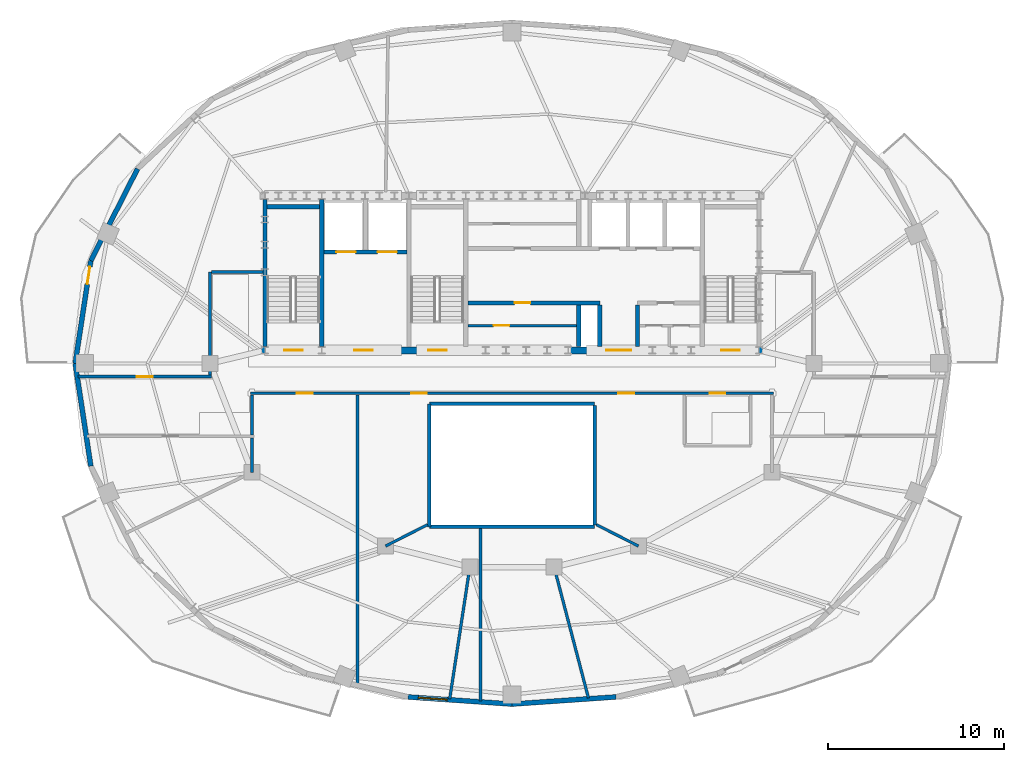
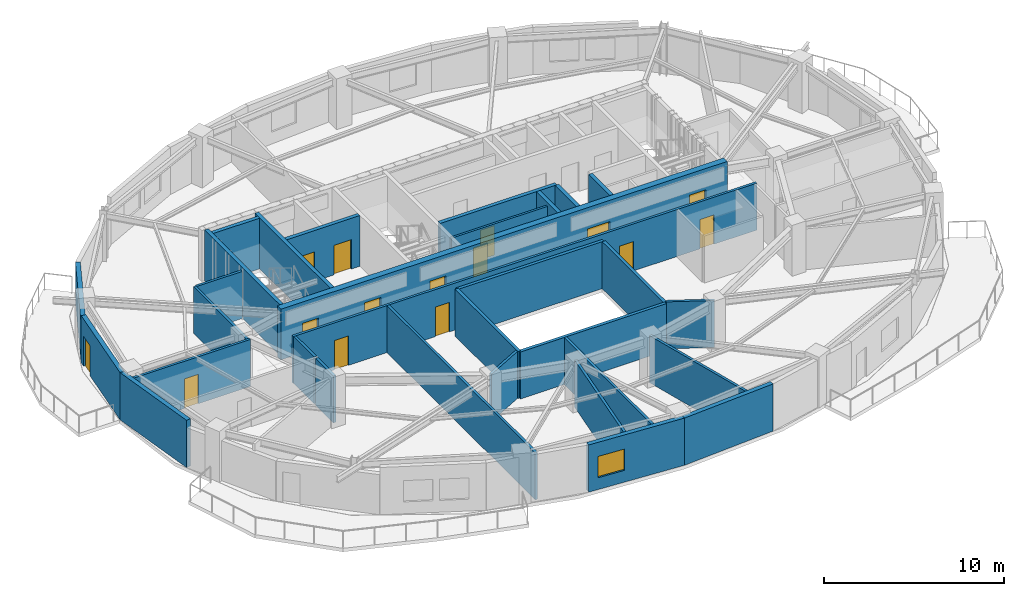
# One storey, part 4 of 10: 31 walls, 15 doors, 1 window, 16 openings.
"""IFC4 building model written with IfcOpenShell, lengths in metres."""

from ifc_helpers import new_model, si_unit, direction, frame, frame_2d, origin, place, context, subcontext, project, spatial, rectangle, extrude, material, layer, layer_set, type_object, element, fill, save


model = new_model("IFC4")

# Units and contexts
model_context = context("Model", 3, precision=1e-05, world=origin(), true_north=direction((0.0, 1.0)))
body_context = subcontext(model_context, "Body", "Model", "MODEL_VIEW")
ifc_project = project(units=[si_unit("LENGTHUNIT", "METRE"), si_unit("AREAUNIT", "SQUARE_METRE"), si_unit("VOLUMEUNIT", "CUBIC_METRE"), si_unit("PLANEANGLEUNIT", "RADIAN"), si_unit("MASSUNIT", "GRAM", prefix="KILO")], contexts=[model_context])

# Site, building, storey
site_placement = place(None, origin())
site = spatial("IfcSite", under=ifc_project, at=site_placement, CompositionType="ELEMENT")
building_placement = place(site_placement, origin())
building = spatial("IfcBuilding", under=site, at=building_placement, Name="Haldorwick Loom Tower", CompositionType="ELEMENT")
storey_placement = place(building_placement, frame((0.0, 0.0, 259.199951171875)))
storey = spatial("IfcBuildingStorey", under=building, at=storey_placement, Name="L70", CompositionType="ELEMENT", Elevation=259.199951171875)

# Wall
ifc_material_1 = material(Name="Pressed Clay Face Brick and Insulated Masonry Backup Assembly", Category="masonry")
ifc_layer_1 = layer(ifc_material_1, 0.280029296875, Name="Pressed Clay Face Brick and Insulated Masonry Backup Assembly", Category="masonry")
ifc_layer_set_1 = layer_set([ifc_layer_1], Name="Pressed Clay Face Brick and Insulated Masonry Backup Assembly")
wall_type_1 = type_object("IfcWallType", Name="ARC-WL-EXT280", PredefinedType="STANDARD", material=ifc_layer_set_1)
wall_1_placement = place(storey_placement, frame((14.677490234375, 37.08984375, 0.0), z_axis=(0.0, 0.0, 1.0), x_axis=(-0.453100705059, -0.89145933787, 0.0)))
element("IfcWall", 1, at=wall_1_placement, inside=storey, type_object=wall_type_1, Name="L70 Brick Pier and Spandrel Wall 11", PredefinedType="STANDARD", context=body_context, shape_type="SweptSolid", body=[
    extrude(rectangle(XDim=5.879150390625, YDim=0.280029296875, at=frame_2d((2.939453125, 0.0))), origin(), (0.0, 0.0, 1.0), 2.718994140625),
])

# Wall, opening, door
wall_2_placement = place(storey_placement, frame((12.013671875, 31.848876953125, 0.0), z_axis=(0.0, 0.0, 1.0), x_axis=(-0.150497234153, -0.988610430105, 0.0)))
wall_2 = element("IfcWall", 2, at=wall_2_placement, inside=storey, type_object=wall_type_1, Name="L70 Brick Pier and Spandrel Wall 12", PredefinedType="STANDARD", context=body_context, shape_type="SweptSolid", body=[
    extrude(rectangle(XDim=5.916259765625, YDim=0.280029296875, at=frame_2d((2.9580078125, 0.0))), origin(), (0.0, 0.0, 1.0), 3.2099609375),
])
opening_1_placement = place(wall_2_placement, frame((0.340087890625, 0.0, 0.0)))
opening_1 = element("IfcOpeningElement", 3, at=opening_1_placement, cuts=wall_2, Name="Opening D-BL10", PredefinedType="OPENING", context=body_context, shape_type="SweptSolid", body=[
    extrude(rectangle(XDim=1.0, YDim=2.0400390625, at=frame_2d((0.5, 1.02001953125))), frame((0.0, 0.14990234375, 0.0), z_axis=(0.0, -1.0, 0.0), x_axis=(1.0, 0.0, 0.0)), (0.0, 0.0, 1.0), 0.300048828125),
])
ifc_material_2 = material(Name="Thermally Broken Anodized Aluminium Curtain Wall Framing", Category="aluminium")
door_type_1 = type_object("IfcDoorType", Name="ARC-DR-BAL100", OperationType="NOTDEFINED", PredefinedType="DOOR", material=ifc_material_2)
door_1_placement = place(opening_1_placement, origin())
door_1 = element("IfcDoor", 4, at=door_1_placement, inside=storey, type_object=door_type_1, Name="L70 Outdoor Terrace Door SLB-L70-BAL_WNW", OperationType="SINGLE_SWING_RIGHT", OverallHeight=2.0400390625, OverallWidth=1.0, PredefinedType="DOOR", context=body_context, shape_type="SweptSolid", body=[
    extrude(rectangle(XDim=1.0, YDim=2.0400390625, at=frame_2d((0.5, 1.02001953125))), frame((0.0, 0.02490234375, 0.0), z_axis=(0.0, -1.0, 0.0), x_axis=(1.0, 0.0, 0.0)), (0.0, 0.0, 1.0), 0.050048828125),
])
fill(opening_1, door_1)

# Wall
wall_3_placement = place(storey_placement, frame((11.123291015625, 26.0, 0.0), z_axis=(0.0, 0.0, 1.0), x_axis=(0.150497234153, -0.988610430105, 0.0)))
element("IfcWall", 5, at=wall_3_placement, inside=storey, type_object=wall_type_1, Name="L70 Brick Pier and Spandrel Wall 13", PredefinedType="STANDARD", context=body_context, shape_type="SweptSolid", body=[
    extrude(rectangle(XDim=5.916259765625, YDim=0.280029296875, at=frame_2d((2.9580078125, 0.0))), origin(), (0.0, 0.0, 1.0), 3.2099609375),
])

# Wall, opening, window
wall_4_placement = place(storey_placement, frame((30.08056640625, 7.006103515625, 0.0), z_axis=(0.0, 0.0, 1.0), x_axis=(0.997656066566, -0.068427865986, 0.0)))
wall_4 = element("IfcWall", 6, at=wall_4_placement, inside=storey, type_object=wall_type_1, Name="L70 Brick Pier and Spandrel Wall 18", PredefinedType="STANDARD", context=body_context, shape_type="SweptSolid", body=[
    extrude(rectangle(XDim=5.933349609375, YDim=0.280029296875, at=frame_2d((2.966796875, 0.0))), origin(), (0.0, 0.0, 1.0), 3.2099609375),
])
opening_2_placement = place(wall_4_placement, frame((0.580078125, 0.0, 0.800048828125)))
opening_2 = element("IfcOpeningElement", 7, at=opening_2_placement, cuts=wall_4, Name="Opening W-01B", PredefinedType="OPENING", context=body_context, shape_type="SweptSolid", body=[
    extrude(rectangle(XDim=1.64990234375, YDim=1.449951171875, at=frame_2d((0.824951171875, 0.72509765625))), frame((0.0, 0.14990234375, 0.0), z_axis=(0.0, -1.0, 0.0), x_axis=(1.0, 0.0, 0.0)), (0.0, 0.0, 1.0), 0.300048828125),
])
ifc_material_3 = material(Name="Triple-Glazed Low-E Argon Insulated Glazing Unit", Category="glass")
window_type = type_object("IfcWindowType", Name="ARC-WIN-W165", PartitioningType="SINGLE_PANEL", PredefinedType="WINDOW", material=ifc_material_3)
window_placement = place(opening_2_placement, origin())
window = element("IfcWindow", 8, at=window_placement, inside=storey, type_object=window_type, Name="L70 Deep-Set Zone 7A Window 18", OverallHeight=1.449951171875, OverallWidth=1.64990234375, PartitioningType="SINGLE_PANEL", PredefinedType="WINDOW", context=body_context, shape_type="SweptSolid", body=[
    extrude(rectangle(XDim=1.64990234375, YDim=1.449951171875, at=frame_2d((0.824951171875, 0.72509765625))), frame((0.0, 0.030029296875, 0.0), z_axis=(0.0, -1.0, 0.0), x_axis=(1.0, 0.0, 0.0)), (0.0, 0.0, 1.0), 0.06005859375),
])
fill(opening_2, window)

# Wall
wall_5_placement = place(storey_placement, frame((36.0, 6.60009765625, 0.0), z_axis=(0.0, 0.0, 1.0), x_axis=(0.997656066566, 0.068427865986, 0.0)))
element("IfcWall", 9, at=wall_5_placement, inside=storey, type_object=wall_type_1, Name="L70 Brick Pier and Spandrel Wall 19", PredefinedType="STANDARD", context=body_context, shape_type="SweptSolid", body=[
    extrude(rectangle(XDim=5.933349609375, YDim=0.280029296875, at=frame_2d((2.966796875, 0.0))), origin(), (0.0, 0.0, 1.0), 3.2099609375),
])

# Wall, openings, doors
ifc_material_4 = material(Name="Fire-Rated Type X Gypsum Stud Assembly EI 60")
ifc_layer_2 = layer(ifc_material_4, 0.159912109375, Name="Fire-Rated Type X Gypsum Stud Assembly EI 60")
ifc_layer_set_2 = layer_set([ifc_layer_2], Name="Fire-Rated Type X Gypsum Stud Assembly EI 60")
wall_type_2 = type_object("IfcWallType", Name="ARC-WL-FIRE160", PredefinedType="PARTITIONING", material=ifc_layer_set_2)
wall_6_placement = place(storey_placement, frame((21.10009765625, 24.300048828125, 0.0), z_axis=(0.0, 0.0, 1.0), x_axis=(1.0, 0.0, 0.0)))
wall_6 = element("IfcWall", 10, at=wall_6_placement, inside=storey, type_object=wall_type_2, Name="L70 Residential Fire Partition L70-CR-SP", PredefinedType="PARTITIONING", context=body_context, shape_type="SweptSolid", body=[
    extrude(rectangle(XDim=29.7998046875, YDim=0.159912109375, at=frame_2d((14.89990234375, 0.0))), origin(), (0.0, 0.0, 1.0), 3.195068359375),
])
opening_3_placement = place(wall_6_placement, frame((20.9619140625, 0.0, 0.0)))
opening_3 = element("IfcOpeningElement", 11, at=opening_3_placement, cuts=wall_6, Name="Opening D-FD60A", PredefinedType="OPENING", context=body_context, shape_type="SweptSolid", body=[
    extrude(rectangle(XDim=0.89990234375, YDim=2.0, at=frame_2d((0.449951171875, 1.0))), frame((0.0, 0.08984375, 0.0), z_axis=(0.0, -1.0, 0.0), x_axis=(1.0, 0.0, 0.0)), (0.0, 0.0, 1.0), 0.179931640625),
])
opening_4_placement = place(wall_6_placement, frame((9.152099609375, 0.0, 0.0)))
opening_4 = element("IfcOpeningElement", 12, at=opening_4_placement, cuts=wall_6, Name="Opening D-FD60A", PredefinedType="OPENING", context=body_context, shape_type="SweptSolid", body=[
    extrude(rectangle(XDim=0.89990234375, YDim=2.0, at=frame_2d((0.449951171875, 1.0))), frame((0.0, 0.08984375, 0.0), z_axis=(0.0, -1.0, 0.0), x_axis=(1.0, 0.0, 0.0)), (0.0, 0.0, 1.0), 0.179931640625),
])
opening_5_placement = place(wall_6_placement, frame((2.640380859375, 0.0, 0.0)))
opening_5 = element("IfcOpeningElement", 13, at=opening_5_placement, cuts=wall_6, Name="Opening D-FD60A", PredefinedType="OPENING", context=body_context, shape_type="SweptSolid", body=[
    extrude(rectangle(XDim=0.89990234375, YDim=2.0, at=frame_2d((0.449951171875, 1.0))), frame((0.0, 0.08984375, 0.0), z_axis=(0.0, -1.0, 0.0), x_axis=(1.0, 0.0, 0.0)), (0.0, 0.0, 1.0), 0.179931640625),
])
opening_6_placement = place(wall_6_placement, frame((26.1494140625, 0.0, 0.0)))
opening_6 = element("IfcOpeningElement", 14, at=opening_6_placement, cuts=wall_6, Name="Opening D-FD60A", PredefinedType="OPENING", context=body_context, shape_type="SweptSolid", body=[
    extrude(rectangle(XDim=0.89990234375, YDim=2.0, at=frame_2d((0.449951171875, 1.0))), frame((0.0, 0.08984375, 0.0), z_axis=(0.0, -1.0, 0.0), x_axis=(1.0, 0.0, 0.0)), (0.0, 0.0, 1.0), 0.179931640625),
])
ifc_material_5 = material(Name="Hollow Steel Fire Door Assembly", Category="steel")
door_type_2 = type_object("IfcDoorType", Name="ARC-DR-FD60-90", OperationType="NOTDEFINED", PredefinedType="DOOR", material=ifc_material_5)
door_2_placement = place(opening_3_placement, origin())
door_2 = element("IfcDoor", 15, at=door_2_placement, inside=storey, type_object=door_type_2, Name="L70 L70 Central Residential Corridor to Tenant Seminar Meeting Room 1 Do", OperationType="SINGLE_SWING_RIGHT", OverallHeight=2.0, OverallWidth=0.89990234375, PredefinedType="DOOR", context=body_context, shape_type="SweptSolid", body=[
    extrude(rectangle(XDim=0.89990234375, YDim=2.0, at=frame_2d((0.449951171875, 1.0))), frame((0.0, 0.02490234375, 0.0), z_axis=(0.0, -1.0, 0.0), x_axis=(1.0, 0.0, 0.0)), (0.0, 0.0, 1.0), 0.050048828125),
])
fill(opening_3, door_2)
door_3_placement = place(opening_4_placement, origin())
door_3 = element("IfcDoor", 16, at=door_3_placement, inside=storey, type_object=door_type_2, Name="L70 L70 Central Residential Corridor to Tenant Seminar Meeting Room 1 Do", OperationType="SINGLE_SWING_LEFT", OverallHeight=2.0, OverallWidth=0.89990234375, PredefinedType="DOOR", context=body_context, shape_type="SweptSolid", body=[
    extrude(rectangle(XDim=0.89990234375, YDim=2.0, at=frame_2d((0.449951171875, 1.0))), frame((0.0, 0.02490234375, 0.0), z_axis=(0.0, -1.0, 0.0), x_axis=(1.0, 0.0, 0.0)), (0.0, 0.0, 1.0), 0.050048828125),
])
fill(opening_4, door_3)
door_4_placement = place(opening_5_placement, origin())
door_4 = element("IfcDoor", 17, at=door_4_placement, inside=storey, type_object=door_type_2, Name="L70 L70 Central Residential Corridor to Tenant Seminar Meeting Room 2 Do", OperationType="SINGLE_SWING_RIGHT", OverallHeight=2.0, OverallWidth=0.89990234375, PredefinedType="DOOR", context=body_context, shape_type="SweptSolid", body=[
    extrude(rectangle(XDim=0.89990234375, YDim=2.0, at=frame_2d((0.449951171875, 1.0))), frame((0.0, 0.02490234375, 0.0), z_axis=(0.0, -1.0, 0.0), x_axis=(1.0, 0.0, 0.0)), (0.0, 0.0, 1.0), 0.050048828125),
])
fill(opening_5, door_4)
door_5_placement = place(opening_6_placement, origin())
door_5 = element("IfcDoor", 18, at=door_5_placement, inside=storey, type_object=door_type_2, Name="L70 L70 Central Residential Corridor to Common Accessible WC Door", OperationType="SINGLE_SWING_LEFT", OverallHeight=2.0, OverallWidth=0.89990234375, PredefinedType="DOOR", context=body_context, shape_type="SweptSolid", body=[
    extrude(rectangle(XDim=0.89990234375, YDim=2.0, at=frame_2d((0.449951171875, 1.0))), frame((0.0, 0.02490234375, 0.0), z_axis=(0.0, -1.0, 0.0), x_axis=(1.0, 0.0, 0.0)), (0.0, 0.0, 1.0), 0.050048828125),
])
fill(opening_6, door_5)

# Wall
wall_7_placement = place(storey_placement, frame((21.199951171875, 21.93310546875, 0.0), z_axis=(0.0, 0.0, 1.0), x_axis=(0.0, 1.0, 0.0)))
element("IfcWall", 19, at=wall_7_placement, inside=storey, type_object=wall_type_2, Name="L70 Residential Fire Partition L70-CR-STW", PredefinedType="PARTITIONING", context=body_context, shape_type="SweptSolid", body=[
    extrude(rectangle(XDim=2.283935546875, YDim=0.159912109375, at=frame_2d((1.14208984375, 0.0))), origin(), (0.0, 0.0, 1.0), 3.195068359375),
])

# Wall, opening, door
wall_8_placement = place(storey_placement, frame((11.282958984375, 25.25, 0.0), z_axis=(0.0, 0.0, 1.0), x_axis=(1.0, 0.0, 0.0)))
wall_8 = element("IfcWall", 20, at=wall_8_placement, inside=storey, type_object=wall_type_2, Name="L70 Residential Fire Partition L70-CR-NWL", PredefinedType="PARTITIONING", context=body_context, shape_type="SweptSolid", body=[
    extrude(rectangle(XDim=7.616943359375, YDim=0.159912109375, at=frame_2d((3.80859375, 0.0))), origin(), (0.0, 0.0, 1.0), 3.195068359375),
])
opening_7_placement = place(wall_8_placement, frame((3.3583984375, 0.0, 0.0)))
opening_7 = element("IfcOpeningElement", 21, at=opening_7_placement, cuts=wall_8, Name="Opening D-FD60A", PredefinedType="OPENING", context=body_context, shape_type="SweptSolid", body=[
    extrude(rectangle(XDim=0.89990234375, YDim=2.0, at=frame_2d((0.449951171875, 1.0))), frame((0.0, 0.08984375, 0.0), z_axis=(0.0, -1.0, 0.0), x_axis=(1.0, 0.0, 0.0)), (0.0, 0.0, 1.0), 0.179931640625),
])
door_6_placement = place(opening_7_placement, frame((0.89990234375, 0.0, 0.0), z_axis=(0.0, 0.0, 1.0), x_axis=(-1.0, 0.0, 0.0)))
door_6 = element("IfcDoor", 22, at=door_6_placement, inside=storey, type_object=door_type_2, Name="L70 Tenant Seminar Meeting Room 6 to L70 Central Residential Corridor Do", OperationType="SINGLE_SWING_RIGHT", OverallHeight=2.0, OverallWidth=0.89990234375, PredefinedType="DOOR", context=body_context, shape_type="SweptSolid", body=[
    extrude(rectangle(XDim=0.89990234375, YDim=2.0, at=frame_2d((0.449951171875, 1.0))), frame((0.0, 0.02490234375, 0.0), z_axis=(0.0, -1.0, 0.0), x_axis=(1.0, 0.0, 0.0)), (0.0, 0.0, 1.0), 0.050048828125),
])
fill(opening_7, door_6)

# Walls
wall_9_placement = place(storey_placement, frame((18.800048828125, 25.3330078125, 0.0), z_axis=(0.0, 0.0, 1.0), x_axis=(0.0, 1.0, 0.0)))
element("IfcWall", 23, at=wall_9_placement, inside=storey, type_object=wall_type_2, Name="L70 Residential Fire Partition L70-CR-W0", PredefinedType="PARTITIONING", context=body_context, shape_type="SweptSolid", body=[
    extrude(rectangle(XDim=5.866943359375, YDim=0.159912109375, at=frame_2d((2.93359375, 0.0))), origin(), (0.0, 0.0, 1.0), 3.195068359375),
])
wall_10_placement = place(storey_placement, frame((18.883056640625, 31.199951171875, 0.0), z_axis=(0.0, 0.0, 1.0), x_axis=(1.0, 0.0, 0.0)))
element("IfcWall", 24, at=wall_10_placement, inside=storey, type_object=wall_type_2, Name="L70 Residential Fire Partition L70-CR-WNJ", PredefinedType="PARTITIONING", context=body_context, shape_type="SweptSolid", body=[
    extrude(rectangle(XDim=2.923828125, YDim=0.159912109375, at=frame_2d((1.4619140625, 0.0))), origin(), (0.0, 0.0, 1.0), 3.195068359375),
])
wall_11_placement = place(storey_placement, frame((38.39990234375, 14.39990234375, 0.0), z_axis=(0.0, 0.0, 1.0), x_axis=(0.253579572039, -0.96731453036, 0.0)))
element("IfcWall", 25, at=wall_11_placement, inside=storey, type_object=wall_type_2, Name="L70 Residential Fire Partition L70-ICR-05", PredefinedType="PARTITIONING", context=body_context, shape_type="SweptSolid", body=[
    extrude(rectangle(XDim=7.7080078125, YDim=0.159912109375, at=frame_2d((3.85400390625, 0.0))), origin(), (0.0, 0.0, 1.0), 3.195068359375),
])
wall_12_placement = place(storey_placement, frame((33.60009765625, 14.39990234375, 0.0), z_axis=(0.0, 0.0, 1.0), x_axis=(-0.151108252294, -0.988517220937, 0.0)))
element("IfcWall", 26, at=wall_12_placement, inside=storey, type_object=wall_type_2, Name="L70 Residential Fire Partition L70-ICR-07", PredefinedType="PARTITIONING", context=body_context, shape_type="SweptSolid", body=[
    extrude(rectangle(XDim=7.598388671875, YDim=0.159912109375, at=frame_2d((3.79931640625, 0.0))), origin(), (0.0, 0.0, 1.0), 3.195068359375),
])
wall_13_placement = place(storey_placement, frame((27.199951171875, 7.71435546875, 0.0), z_axis=(0.0, 0.0, 1.0), x_axis=(0.0, 1.0, 0.0)))
element("IfcWall", 27, at=wall_13_placement, inside=storey, type_object=wall_type_2, Name="L70 Residential Fire Partition L70-SBP-0", PredefinedType="PARTITIONING", context=body_context, shape_type="SweptSolid", body=[
    extrude(rectangle(XDim=16.502685546875, YDim=0.159912109375, at=frame_2d((8.25146484375, 0.0))), origin(), (0.0, 0.0, 1.0), 3.195068359375),
])
wall_14_placement = place(storey_placement, frame((34.199951171875, 6.7685546875, 0.0), z_axis=(0.0, 0.0, 1.0), x_axis=(0.0, 1.0, 0.0)))
element("IfcWall", 28, at=wall_14_placement, inside=storey, type_object=wall_type_2, Name="L70 Residential Fire Partition L70-SBP-1", PredefinedType="PARTITIONING", context=body_context, shape_type="SweptSolid", body=[
    extrude(rectangle(XDim=9.828369140625, YDim=0.159912109375, at=frame_2d((4.9140625, 0.0))), origin(), (0.0, 0.0, 1.0), 3.195068359375),
])
for number, where, z_axis, x_axis, name in (
    (29, (40.802978515625, 16.822021484375, 0.0), (0.0, 0.0, 1.0), (0.890915506237, -0.454169088278, 0.0), "L70 Residential Fire Partition L70-ICA-03"),
    (30, (31.197021484375, 16.822021484375, 0.0), (0.0, 0.0, 1.0), (-0.890915506237, -0.454169088278, 0.0), "L70 Residential Fire Partition L70-ICA-08"),
):
    element("IfcWall", number, at=place(storey_placement, frame(where, z_axis=z_axis, x_axis=x_axis)), inside=storey, type_object=wall_type_2, Name=name, PredefinedType="PARTITIONING", context=body_context, shape_type="SweptSolid", body=[
        extrude(rectangle(XDim=2.6904296875, YDim=0.159912109375, at=frame_2d((1.34521484375, 0.0))), origin(), (0.0, 0.0, 1.0), 3.195068359375),
    ])
wall_15_placement = place(storey_placement, frame((21.199951171875, 21.76708984375, 0.0), z_axis=(0.0, 0.0, 1.0), x_axis=(0.0, -1.0, 0.0)))
element("IfcWall", 31, at=wall_15_placement, inside=storey, type_object=wall_type_2, Name="L70 Residential Fire Partition L70-ICA-09", PredefinedType="PARTITIONING", context=body_context, shape_type="SweptSolid", body=[
    extrude(rectangle(XDim=1.967041015625, YDim=0.159912109375, at=frame_2d((0.9833984375, 0.0))), origin(), (0.0, 0.0, 1.0), 3.195068359375),
])
ifc_material_6 = material(Name="Fire-Rated Type X Gypsum Stud Assembly EI 120")
ifc_layer_3 = layer(ifc_material_6, 0.199951171875, Name="Fire-Rated Type X Gypsum Stud Assembly EI 120")
ifc_layer_set_3 = layer_set([ifc_layer_3], Name="Fire-Rated Type X Gypsum Stud Assembly EI 120")
wall_type_3 = type_object("IfcWallType", Name="ARC-WL-FIRE200", PredefinedType="PARTITIONING", material=ifc_layer_set_3)
for number, where, z_axis, x_axis, name in (
    (32, (31.300048828125, 23.699951171875, 0.0), (0.0, 0.0, 1.0), (1.0, 0.0, 0.0), "L70 Atrium Fire Enclosure Wall N"),
    (33, (40.699951171875, 16.699951171875, 0.0), (0.0, 0.0, 1.0), (-1.0, 0.0, 0.0), "L70 Atrium Fire Enclosure Wall S"),
):
    element("IfcWall", number, at=place(storey_placement, frame(where, z_axis=z_axis, x_axis=x_axis)), inside=storey, type_object=wall_type_3, Name=name, PredefinedType="PARTITIONING", context=body_context, shape_type="SweptSolid", body=[
        extrude(rectangle(XDim=9.39990234375, YDim=0.199951171875, at=frame_2d((4.699951171875, 0.0))), origin(), (0.0, 0.0, 1.0), 3.195068359375),
    ])
wall_16_placement = place(storey_placement, frame((31.300048828125, 16.699951171875, 0.0), z_axis=(0.0, 0.0, 1.0), x_axis=(0.0, 1.0, 0.0)))
element("IfcWall", 34, at=wall_16_placement, inside=storey, type_object=wall_type_3, Name="L70 Atrium Fire Enclosure Wall W", PredefinedType="PARTITIONING", context=body_context, shape_type="SweptSolid", body=[
    extrude(rectangle(XDim=7.0, YDim=0.199951171875, at=frame_2d((3.5, 0.0))), origin(), (0.0, 0.0, 1.0), 3.195068359375),
])
wall_17_placement = place(storey_placement, frame((40.699951171875, 23.596923828125, 0.0), z_axis=(0.0, 0.0, 1.0), x_axis=(0.0, -1.0, 0.0)))
element("IfcWall", 35, at=wall_17_placement, inside=storey, type_object=wall_type_3, Name="L70 Atrium Fire Enclosure Wall E", PredefinedType="PARTITIONING", context=body_context, shape_type="SweptSolid", body=[
    extrude(rectangle(XDim=6.7939453125, YDim=0.199951171875, at=frame_2d((3.39697265625, 0.0))), origin(), (0.0, 0.0, 1.0), 3.195068359375),
])

# Wall, opening, door
ifc_layer_4 = layer(ifc_material_4, 0.139892578125, Name="Fire-Rated Type X Gypsum Stud Assembly EI 60")
ifc_layer_set_4 = layer_set([ifc_layer_4], Name="Fire-Rated Type X Gypsum Stud Assembly EI 60")
wall_type_4 = type_object("IfcWallType", Name="ARC-WL-PART140", PredefinedType="PARTITIONING", material=ifc_layer_set_4)
wall_18_placement = place(storey_placement, frame((33.492919921875, 28.159912109375, 0.0), z_axis=(0.0, 0.0, 1.0), x_axis=(1.0, 0.0, 0.0)))
wall_18 = element("IfcWall", 36, at=wall_18_placement, inside=storey, type_object=wall_type_4, Name="L70 Mid-Bank Horizontal Partition", PredefinedType="PARTITIONING", context=body_context, shape_type="SweptSolid", body=[
    extrude(rectangle(XDim=6.18408203125, YDim=0.139892578125, at=frame_2d((3.092041015625, 0.0))), origin(), (0.0, 0.0, 1.0), 3.195068359375),
])
opening_8_placement = place(wall_18_placement, frame((1.45703125, 0.0, 0.0)))
opening_8 = element("IfcOpeningElement", 37, at=opening_8_placement, cuts=wall_18, Name="Opening D-FD60A", PredefinedType="OPENING", context=body_context, shape_type="SweptSolid", body=[
    extrude(rectangle(XDim=0.89990234375, YDim=2.0, at=frame_2d((0.449951171875, 1.0))), frame((0.0, 0.079833984375, 0.0), z_axis=(0.0, -1.0, 0.0), x_axis=(1.0, 0.0, 0.0)), (0.0, 0.0, 1.0), 0.159912109375),
])
door_7_placement = place(opening_8_placement, origin())
door_7 = element("IfcDoor", 38, at=door_7_placement, inside=storey, type_object=door_type_2, Name="L70 Archive Store Door", OperationType="SINGLE_SWING_RIGHT", OverallHeight=2.0, OverallWidth=0.89990234375, PredefinedType="DOOR", context=body_context, shape_type="SweptSolid", body=[
    extrude(rectangle(XDim=0.89990234375, YDim=2.0, at=frame_2d((0.449951171875, 1.0))), frame((0.0, 0.02490234375, 0.0), z_axis=(0.0, -1.0, 0.0), x_axis=(1.0, 0.0, 0.0)), (0.0, 0.0, 1.0), 0.050048828125),
])
fill(opening_8, door_7)

# Wall, openings, doors
ifc_material_7 = material(Name="Concrete C50 (50 MPa)", Category="concrete")
ifc_layer_5 = layer(ifc_material_7, 0.39990234375, Name="Concrete C50 (50 MPa)", Category="concrete")
ifc_layer_set_5 = layer_set([ifc_layer_5], Name="Concrete C50 (50 MPa)")
wall_type_5 = type_object("IfcWallType", Name="STR-WL-CORE400", PredefinedType="SHEAR", material=ifc_layer_set_5)
wall_19_placement = place(storey_placement, frame((21.64990234375, 26.75, 0.0), z_axis=(0.0, 0.0, 1.0), x_axis=(1.0, 0.0, 0.0)))
wall_19 = element("IfcWall", 39, at=wall_19_placement, inside=storey, type_object=wall_type_5, Name="L70 Core Shear Wall S", PredefinedType="SHEAR", context=body_context, shape_type="SweptSolid", body=[
    extrude(rectangle(XDim=28.7001953125, YDim=0.39990234375, at=frame_2d((14.35009765625, 0.0))), origin(), (0.0, 0.0, 1.0), 3.449951171875),
])
opening_9_placement = place(wall_19_placement, frame((1.375, 0.0, 0.0)))
opening_9 = element("IfcOpeningElement", 40, at=opening_9_placement, cuts=wall_19, Name="Opening D-FD60", PredefinedType="OPENING", context=body_context, shape_type="SweptSolid", body=[
    extrude(rectangle(XDim=1.050048828125, YDim=2.0, at=frame_2d((0.52490234375, 1.0))), frame((0.0, 0.2099609375, 0.0), z_axis=(0.0, -1.0, 0.0), x_axis=(1.0, 0.0, 0.0)), (0.0, 0.0, 1.0), 0.419921875),
])
opening_10_placement = place(wall_19_placement, frame((5.375, 0.0, 0.0)))
opening_10 = element("IfcOpeningElement", 41, at=opening_10_placement, cuts=wall_19, Name="Opening D-FD60", PredefinedType="OPENING", context=body_context, shape_type="SweptSolid", body=[
    extrude(rectangle(XDim=1.050048828125, YDim=2.0, at=frame_2d((0.52490234375, 1.0))), frame((0.0, 0.2099609375, 0.0), z_axis=(0.0, -1.0, 0.0), x_axis=(1.0, 0.0, 0.0)), (0.0, 0.0, 1.0), 0.419921875),
])
opening_11_placement = place(wall_19_placement, frame((9.574951171875, 0.0, 0.0)))
opening_11 = element("IfcOpeningElement", 42, at=opening_11_placement, cuts=wall_19, Name="Opening D-FD60", PredefinedType="OPENING", context=body_context, shape_type="SweptSolid", body=[
    extrude(rectangle(XDim=1.050048828125, YDim=2.0, at=frame_2d((0.52490234375, 1.0))), frame((0.0, 0.2099609375, 0.0), z_axis=(0.0, -1.0, 0.0), x_axis=(1.0, 0.0, 0.0)), (0.0, 0.0, 1.0), 0.419921875),
])
opening_12_placement = place(wall_19_placement, frame((19.705078125, 0.0, 0.0)))
opening_12 = element("IfcOpeningElement", 43, at=opening_12_placement, cuts=wall_19, Name="Opening D-LB15", PredefinedType="OPENING", context=body_context, shape_type="SweptSolid", body=[
    extrude(rectangle(XDim=1.449951171875, YDim=2.0, at=frame_2d((0.72509765625, 1.0))), frame((0.0, 0.2099609375, 0.0), z_axis=(0.0, -1.0, 0.0), x_axis=(1.0, 0.0, 0.0)), (0.0, 0.0, 1.0), 0.419921875),
])
opening_13_placement = place(wall_19_placement, frame((26.27490234375, 0.0, 0.0)))
opening_13 = element("IfcOpeningElement", 44, at=opening_13_placement, cuts=wall_19, Name="Opening D-FD60", PredefinedType="OPENING", context=body_context, shape_type="SweptSolid", body=[
    extrude(rectangle(XDim=1.050048828125, YDim=2.0, at=frame_2d((0.52490234375, 1.0))), frame((0.0, 0.2099609375, 0.0), z_axis=(0.0, -1.0, 0.0), x_axis=(1.0, 0.0, 0.0)), (0.0, 0.0, 1.0), 0.419921875),
])
door_type_3 = type_object("IfcDoorType", Name="ARC-DR-FD60", OperationType="NOTDEFINED", PredefinedType="DOOR", material=ifc_material_5)
door_8_placement = place(opening_9_placement, origin())
door_8 = element("IfcDoor", 45, at=door_8_placement, inside=storey, type_object=door_type_3, Name="L70 Exit Stair ST-01 Fire Door", OperationType="SINGLE_SWING_RIGHT", OverallHeight=2.0, OverallWidth=1.050048828125, PredefinedType="DOOR", context=body_context, shape_type="SweptSolid", body=[
    extrude(rectangle(XDim=1.050048828125, YDim=2.0, at=frame_2d((0.52490234375, 1.0))), frame((0.0, 0.02490234375, 0.0), z_axis=(0.0, -1.0, 0.0), x_axis=(1.0, 0.0, 0.0)), (0.0, 0.0, 1.0), 0.050048828125),
])
fill(opening_9, door_8)
door_9_placement = place(opening_10_placement, origin())
door_9 = element("IfcDoor", 46, at=door_9_placement, inside=storey, type_object=door_type_3, Name="L70 Firefighting Lift Lobby Fire Door", OperationType="SINGLE_SWING_LEFT", OverallHeight=2.0, OverallWidth=1.050048828125, PredefinedType="DOOR", context=body_context, shape_type="SweptSolid", body=[
    extrude(rectangle(XDim=1.050048828125, YDim=2.0, at=frame_2d((0.52490234375, 1.0))), frame((0.0, 0.02490234375, 0.0), z_axis=(0.0, -1.0, 0.0), x_axis=(1.0, 0.0, 0.0)), (0.0, 0.0, 1.0), 0.050048828125),
])
fill(opening_10, door_9)
door_10_placement = place(opening_11_placement, origin())
door_10 = element("IfcDoor", 47, at=door_10_placement, inside=storey, type_object=door_type_3, Name="L70 Exit Stair ST-03 Fire Door", OperationType="SINGLE_SWING_LEFT", OverallHeight=2.0, OverallWidth=1.050048828125, PredefinedType="DOOR", context=body_context, shape_type="SweptSolid", body=[
    extrude(rectangle(XDim=1.050048828125, YDim=2.0, at=frame_2d((0.52490234375, 1.0))), frame((0.0, 0.02490234375, 0.0), z_axis=(0.0, -1.0, 0.0), x_axis=(1.0, 0.0, 0.0)), (0.0, 0.0, 1.0), 0.050048828125),
])
fill(opening_11, door_10)
door_11_placement = place(opening_13_placement, origin())
door_11 = element("IfcDoor", 48, at=door_11_placement, inside=storey, type_object=door_type_3, Name="L70 Exit Stair ST-02 Fire Door", OperationType="SINGLE_SWING_LEFT", OverallHeight=2.0, OverallWidth=1.050048828125, PredefinedType="DOOR", context=body_context, shape_type="SweptSolid", body=[
    extrude(rectangle(XDim=1.050048828125, YDim=2.0, at=frame_2d((0.52490234375, 1.0))), frame((0.0, 0.02490234375, 0.0), z_axis=(0.0, -1.0, 0.0), x_axis=(1.0, 0.0, 0.0)), (0.0, 0.0, 1.0), 0.050048828125),
])
fill(opening_13, door_11)
ifc_material_8 = material(Name="Thermally Broken Anodized Aluminium and Tempered Glass", Category="aluminium")
door_type_4 = type_object("IfcDoorType", Name="ARC-DR-LOB150", OperationType="NOTDEFINED", PredefinedType="DOOR", material=ifc_material_8)
door_12_placement = place(opening_12_placement, frame((1.449951171875, 0.0, 0.0), z_axis=(0.0, 0.0, 1.0), x_axis=(-1.0, 0.0, 0.0)))
door_12 = element("IfcDoor", 49, at=door_12_placement, inside=storey, type_object=door_type_4, Name="L70 Passenger Lift Lobby Fire Door", OperationType="DOUBLE_DOOR_SINGLE_SWING", OverallHeight=2.0, OverallWidth=1.449951171875, PredefinedType="DOOR", context=body_context, shape_type="SweptSolid", body=[
    extrude(rectangle(XDim=1.449951171875, YDim=2.0, at=frame_2d((0.72509765625, 1.0))), frame((0.0, 0.02490234375, 0.0), z_axis=(0.0, -1.0, 0.0), x_axis=(1.0, 0.0, 0.0)), (0.0, 0.0, 1.0), 0.050048828125),
])
fill(opening_12, door_12)

# Walls
ifc_layer_6 = layer(ifc_material_7, 0.239990234375, Name="Concrete C50 (50 MPa)", Category="concrete")
ifc_layer_set_6 = layer_set([ifc_layer_6], Name="Concrete C50 (50 MPa)")
wall_type_6 = type_object("IfcWallType", Name="STR-WL-SHAFT240", PredefinedType="SHEAR", material=ifc_layer_set_6)
for number, where, z_axis, x_axis, name in (
    (50, (21.929931640625, 35.346923828125, 0.0), (0.0, 0.0, 1.0), (0.0, -1.0, 0.0), "L70 Core Shear Wall W"),
    (51, (25.169921875, 26.952880859375, 0.0), (0.0, 0.0, 1.0), (0.0, 1.0, 0.0), "L70 Core Shear Wall 1"),
):
    element("IfcWall", number, at=place(storey_placement, frame(where, z_axis=z_axis, x_axis=x_axis)), inside=storey, type_object=wall_type_6, Name=name, PredefinedType="SHEAR", context=body_context, shape_type="SweptSolid", body=[
        extrude(rectangle(XDim=8.39404296875, YDim=0.239990234375, at=frame_2d((4.197021484375, 0.0))), origin(), (0.0, 0.0, 1.0), 3.449951171875),
    ])
wall_20_placement = place(storey_placement, frame((22.052978515625, 34.919921875, 0.0), z_axis=(0.0, 0.0, 1.0), x_axis=(1.0, 0.0, 0.0)))
element("IfcWall", 52, at=wall_20_placement, inside=storey, type_object=wall_type_6, Name="L70 Core Shear Wall 1N", PredefinedType="SHEAR", context=body_context, shape_type="SweptSolid", body=[
    extrude(rectangle(XDim=2.994140625, YDim=0.239990234375, at=frame_2d((1.4970703125, 0.0))), origin(), (0.0, 0.0, 1.0), 3.449951171875),
])

# Wall, openings, doors
wall_21_placement = place(storey_placement, frame((25.29296875, 32.35009765625, 0.0), z_axis=(0.0, 0.0, 1.0), x_axis=(1.0, 0.0, 0.0)))
wall_21 = element("IfcWall", 53, at=wall_21_placement, inside=storey, type_object=wall_type_6, Name="L70 Core Shear Wall FF", PredefinedType="SHEAR", context=body_context, shape_type="SweptSolid", body=[
    extrude(rectangle(XDim=4.714111328125, YDim=0.239990234375, at=frame_2d((2.35693359375, 0.0))), origin(), (0.0, 0.0, 1.0), 3.449951171875),
])
opening_14_placement = place(wall_21_placement, frame((0.70703125, 0.0, 0.0)))
opening_14 = element("IfcOpeningElement", 54, at=opening_14_placement, cuts=wall_21, Name="Opening LD-FF1", PredefinedType="OPENING", context=body_context, shape_type="SweptSolid", body=[
    extrude(rectangle(XDim=1.10009765625, YDim=2.0, at=frame_2d((0.550048828125, 1.0))), frame((0.0, 0.1298828125, 0.0), z_axis=(0.0, -1.0, 0.0), x_axis=(1.0, 0.0, 0.0)), (0.0, 0.0, 1.0), 0.260009765625),
])
opening_15_placement = place(wall_21_placement, frame((3.056884765625, 0.0, 0.0)))
opening_15 = element("IfcOpeningElement", 55, at=opening_15_placement, cuts=wall_21, Name="Opening LD-FF2", PredefinedType="OPENING", context=body_context, shape_type="SweptSolid", body=[
    extrude(rectangle(XDim=1.10009765625, YDim=2.0, at=frame_2d((0.550048828125, 1.0))), frame((0.0, 0.1298828125, 0.0), z_axis=(0.0, -1.0, 0.0), x_axis=(1.0, 0.0, 0.0)), (0.0, 0.0, 1.0), 0.260009765625),
])
door_type_5 = type_object("IfcDoorType", Name="ARC-DR-LD-FF", OperationType="NOTDEFINED", PredefinedType="USERDEFINED", material=ifc_material_5)
door_13_placement = place(opening_14_placement, origin())
door_13 = element("IfcDoor", 56, at=door_13_placement, inside=storey, type_object=door_type_5, Name="L70 Lift LF-FF1 Sliding Landing Door", ObjectType="LANDING DOOR", OperationType="DOUBLE_DOOR_SLIDING", OverallHeight=2.0, OverallWidth=1.10009765625, PredefinedType="USERDEFINED", context=body_context, shape_type="SweptSolid", body=[
    extrude(rectangle(XDim=1.10009765625, YDim=2.0, at=frame_2d((0.550048828125, 1.0))), frame((0.0, 0.02490234375, 0.0), z_axis=(0.0, -1.0, 0.0), x_axis=(1.0, 0.0, 0.0)), (0.0, 0.0, 1.0), 0.050048828125),
])
fill(opening_14, door_13)
door_14_placement = place(opening_15_placement, origin())
door_14 = element("IfcDoor", 57, at=door_14_placement, inside=storey, type_object=door_type_5, Name="L70 Lift LF-FF2 Sliding Landing Door", ObjectType="LANDING DOOR", OperationType="DOUBLE_DOOR_SLIDING", OverallHeight=2.0, OverallWidth=1.10009765625, PredefinedType="USERDEFINED", context=body_context, shape_type="SweptSolid", body=[
    extrude(rectangle(XDim=1.10009765625, YDim=2.0, at=frame_2d((0.550048828125, 1.0))), frame((0.0, 0.02490234375, 0.0), z_axis=(0.0, -1.0, 0.0), x_axis=(1.0, 0.0, 0.0)), (0.0, 0.0, 1.0), 0.050048828125),
])
fill(opening_15, door_14)

# Wall, opening, door
wall_22_placement = place(storey_placement, frame((33.492919921875, 29.449951171875, 0.0), z_axis=(0.0, 0.0, 1.0), x_axis=(1.0, 0.0, 0.0)))
wall_22 = element("IfcWall", 58, at=wall_22_placement, inside=storey, type_object=wall_type_6, Name="L70 Core Shear Wall LS1", PredefinedType="SHEAR", context=body_context, shape_type="SweptSolid", body=[
    extrude(rectangle(XDim=7.507080078125, YDim=0.239990234375, at=frame_2d((3.75341796875, 0.0))), origin(), (0.0, 0.0, 1.0), 3.449951171875),
])
opening_16_placement = place(wall_22_placement, frame((2.656982421875, 0.0, 0.0)))
opening_16 = element("IfcOpeningElement", 59, at=opening_16_placement, cuts=wall_22, Name="Opening D-FD60A", PredefinedType="OPENING", context=body_context, shape_type="SweptSolid", body=[
    extrude(rectangle(XDim=0.89990234375, YDim=2.0, at=frame_2d((0.449951171875, 1.0))), frame((0.0, 0.1298828125, 0.0), z_axis=(0.0, -1.0, 0.0), x_axis=(1.0, 0.0, 0.0)), (0.0, 0.0, 1.0), 0.260009765625),
])
door_15_placement = place(opening_16_placement, origin())
door_15 = element("IfcDoor", 60, at=door_15_placement, inside=storey, type_object=door_type_2, Name="L70 Metering Closet Door", OperationType="SINGLE_SWING_LEFT", OverallHeight=2.0, OverallWidth=0.89990234375, PredefinedType="DOOR", context=body_context, shape_type="SweptSolid", body=[
    extrude(rectangle(XDim=0.89990234375, YDim=2.0, at=frame_2d((0.449951171875, 1.0))), frame((0.0, 0.02490234375, 0.0), z_axis=(0.0, -1.0, 0.0), x_axis=(1.0, 0.0, 0.0)), (0.0, 0.0, 1.0), 0.050048828125),
])
fill(opening_16, door_15)

# Walls
for number, where, z_axis, x_axis, name in (
    (61, (41.0, 26.952880859375, 0.0), (0.0, 0.0, 1.0), (0.0, 1.0, 0.0), "L70 Core Shear Wall THW"),
    (62, (43.14990234375, 26.952880859375, 0.0), (0.0, 0.0, 1.0), (0.0, 1.0, 0.0), "L70 Core Shear Wall THE"),
    (63, (39.800048828125, 26.952880859375, 0.0), (0.0, 0.0, 1.0), (0.0, 1.0, 0.0), "L70 Core Shear Wall MRW"),
):
    element("IfcWall", number, at=place(storey_placement, frame(where, z_axis=z_axis, x_axis=x_axis)), inside=storey, type_object=wall_type_6, Name=name, PredefinedType="SHEAR", context=body_context, shape_type="SweptSolid", body=[
        extrude(rectangle(XDim=2.3740234375, YDim=0.239990234375, at=frame_2d((1.18701171875, 0.0))), origin(), (0.0, 0.0, 1.0), 3.449951171875),
    ])

save(model, "model.ifc")
